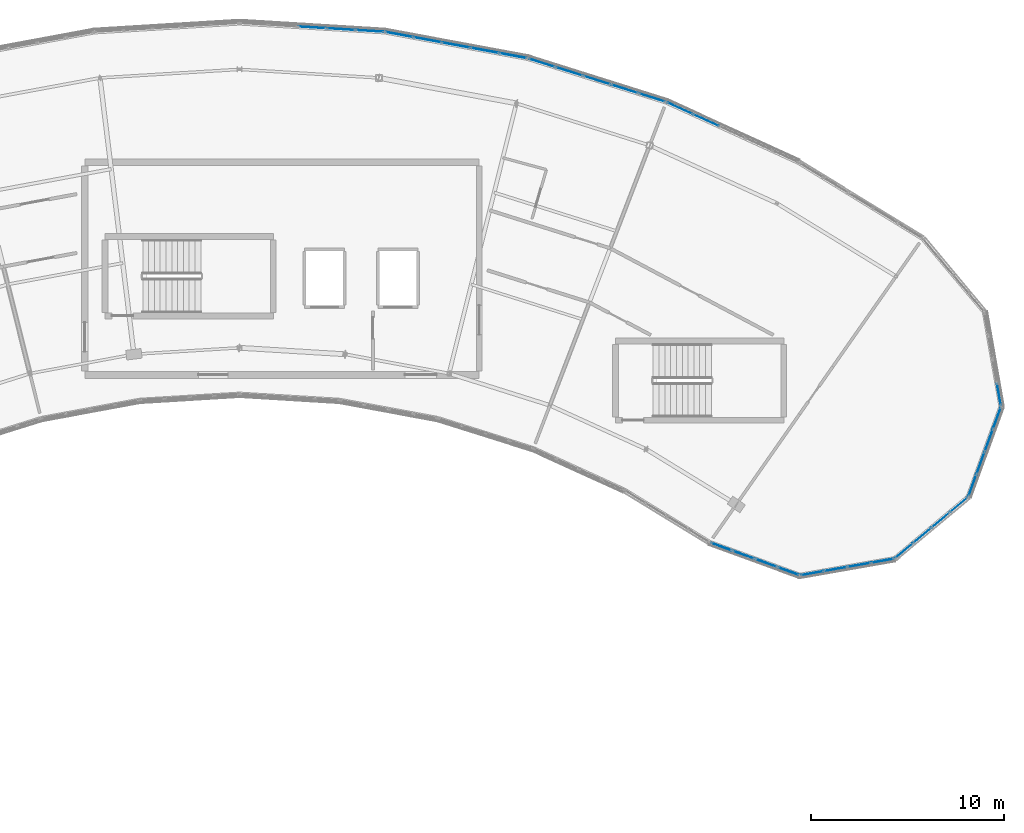
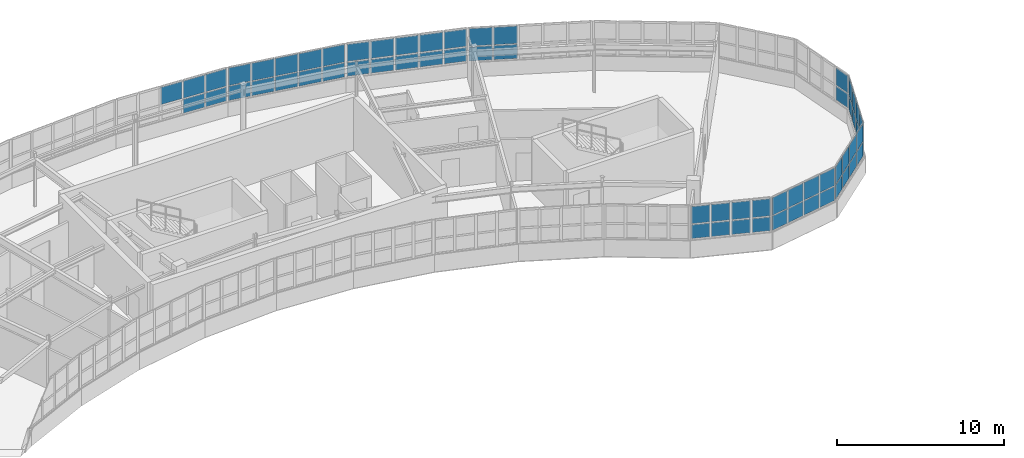
# One storey, part 43 of 65: 63 plates, 9 elements without a shape of their own.
"""IFC4 building model written with IfcOpenShell, lengths in metres."""

import ifcopenshell
import ifcopenshell.guid

model = None  # the IFC model being written
_history = None  # IfcOwnerHistory: only IFC2X3 demands one
_inside = {}  # id of a spatial element -> (the spatial element, [elements in it])
_under = {}  # id of a project, library or spatial element -> (it, [spatial elements below it])
_declared = {}  # id of a project -> (the project, [libraries it declares])
_typed = {}  # id of a type object -> (the type object, [elements of that type])
_made_of = {}  # id of a material, layer set ... -> (it, [elements and type objects made of it])


def new_model(schema):
    """Start an empty IFC model of exactly this schema.

    Asked for "IFC4X3", IfcOpenShell would pick the latest addendum, in which some entities
    have other attributes; the version numbers below select the first issue.
    IFC2X3 requires an IfcOwnerHistory on every rooted entity: one is made here for all.
    """
    global model, _history
    if schema == "IFC4X3":
        model = ifcopenshell.file(schema_version=(4, 3, 0, 0))
    else:
        model = ifcopenshell.file(schema=schema)
    _inside.clear()
    _under.clear()
    _declared.clear()
    _typed.clear()
    _made_of.clear()
    _history = None
    if model.schema == "IFC2X3":
        org = make("IfcOrganization", Name="unknown")
        user = make(
            "IfcPersonAndOrganization",
            ThePerson=make("IfcPerson", FamilyName="unknown"),
            TheOrganization=org,
        )
        app = make(
            "IfcApplication",
            ApplicationDeveloper=org,
            Version="unknown",
            ApplicationFullName="unknown",
            ApplicationIdentifier="unknown",
        )
        _history = make(
            "IfcOwnerHistory",
            OwningUser=user,
            OwningApplication=app,
            ChangeAction="ADDED",
            CreationDate=0,
        )
    return model


def make(cls, **values):
    """One entity of the class cls with the attributes given. An attribute that is None is left unset."""
    return model.create_entity(
        cls, **{name: value for name, value in values.items() if value is not None}
    )


def rooted(cls, **values):
    """An entity with a GlobalId (a new one), such as an element, a storey or a relation."""
    return make(cls, GlobalId=ifcopenshell.guid.new(), OwnerHistory=_history, **values)


def si_unit(unit_type, name, prefix=None):
    """IfcSIUnit, for example si_unit("LENGTHUNIT", "METRE", prefix="MILLI")."""
    return make("IfcSIUnit", UnitType=unit_type, Prefix=prefix, Name=name)


def assignment(units):
    """IfcUnitAssignment: the units of a project."""
    return None if units is None else make("IfcUnitAssignment", Units=units)


def point(xyz):
    """IfcCartesianPoint."""
    return None if xyz is None else make("IfcCartesianPoint", Coordinates=xyz)


def direction(xyz):
    """IfcDirection."""
    return None if xyz is None else make("IfcDirection", DirectionRatios=xyz)


def frame(location, z_axis=None, x_axis=None):
    """IfcAxis2Placement3D, a coordinate frame: its origin and axes. An axis left out is left unset."""
    return make(
        "IfcAxis2Placement3D",
        Location=point(location),
        Axis=direction(z_axis),
        RefDirection=direction(x_axis),
    )


def frame_2d(location, x_axis=None):
    """IfcAxis2Placement2D, a coordinate frame in the plane: its origin and x axis."""
    return make(
        "IfcAxis2Placement2D", Location=point(location), RefDirection=direction(x_axis)
    )


def origin():
    """The frame at (0, 0, 0) with its axes left unset."""
    return frame((0.0, 0.0, 0.0))


def origin_2d():
    """The frame at (0, 0) in the plane with its x axis left unset."""
    return frame_2d((0.0, 0.0))


def place(relative_to, where):
    """IfcLocalPlacement: puts the frame where relative to a parent placement (None: the world)."""
    return make(
        "IfcLocalPlacement", PlacementRelTo=relative_to, RelativePlacement=where
    )


def context(
    kind, dimensions, precision=None, world=None, true_north=None, identifier=None
):
    """IfcGeometricRepresentationContext, for example the 3D "Model" context."""
    return make(
        "IfcGeometricRepresentationContext",
        ContextIdentifier=identifier,
        ContextType=kind,
        CoordinateSpaceDimension=dimensions,
        Precision=precision,
        WorldCoordinateSystem=world,
        TrueNorth=true_north,
    )


def subcontext(parent, identifier, kind, view, scale=None):
    """IfcGeometricRepresentationSubContext, for example "Body" below "Model"."""
    return make(
        "IfcGeometricRepresentationSubContext",
        ContextIdentifier=identifier,
        ContextType=kind,
        ParentContext=parent,
        TargetScale=scale,
        TargetView=view,
    )


def project(units=None, contexts=None):
    """IfcProject with its units and contexts."""
    return rooted(
        "IfcProject",
        Name="project",
        RepresentationContexts=contexts,
        UnitsInContext=assignment(units),
    )


def spatial(cls, under=None, at=None, **own):
    """A site, building, storey or space (cls), placed at a placement, below another one or the project."""
    s = rooted(cls, ObjectPlacement=at, **own)
    if under is not None:
        _under.setdefault(under.id(), (under, []))[1].append(s)
    return s


def profile(cls, at=None, kind="AREA", **sizes):
    """A parametric profile (cls). Its sizes go by their IFC names, for example OverallWidth=200.0."""
    return make(cls, ProfileType=kind, Position=at, **sizes)


def rectangle(**sizes):
    """IfcRectangleProfileDef."""
    return profile("IfcRectangleProfileDef", **sizes)


def extrude(swept, where, along, depth):
    """IfcExtrudedAreaSolid: the profile swept, set in the frame where, extruded along a direction by depth."""
    return make(
        "IfcExtrudedAreaSolid",
        SweptArea=swept,
        Position=where,
        ExtrudedDirection=direction(along),
        Depth=depth,
    )


def shape(context_of_items, identifier, shape_type, items):
    """IfcShapeRepresentation: the items that make up one representation, for example the "Body"."""
    return make(
        "IfcShapeRepresentation",
        ContextOfItems=context_of_items,
        RepresentationIdentifier=identifier,
        RepresentationType=shape_type,
        Items=items,
    )


def material(Name=None, Category=None):
    """IfcMaterial."""
    return make("IfcMaterial", Name=Name, Category=Category)


def layer(
    of_material, thickness, ventilated=None, Name=None, Category=None, Priority=None
):
    """IfcMaterialLayer: one layer of a wall or slab, of a material (None: an air gap)."""
    return make(
        "IfcMaterialLayer",
        Material=of_material,
        LayerThickness=thickness,
        IsVentilated=ventilated,
        Name=Name,
        Category=Category,
        Priority=Priority,
    )


def layer_set(layers, Name=None):
    """IfcMaterialLayerSet."""
    return make("IfcMaterialLayerSet", MaterialLayers=layers, LayerSetName=Name)


def made_of(thing, what):
    """Note that an element or type object is made of a material, layer set ...; save() writes the relation."""
    if what is not None:
        _made_of.setdefault(what.id(), (what, []))[1].append(thing)
    return thing


def type_object(cls, material=None, **own):
    """A type object (cls), such as IfcWallType, which elements share."""
    return made_of(rooted(cls, **own), material)


def element(
    cls,
    number,
    at=None,
    inside=None,
    cuts=None,
    type_object=None,
    material=None,
    context=None,
    identifier="Body",
    shape_type=None,
    held_by="IfcProductDefinitionShape",
    body=None,
    shapes=None,
    **own,
):
    """One element of the class cls, such as IfcWall. Its Tag is "e" and its number.

    at: its placement. inside: the storey or other place that contains it. cuts: it is an
    opening in that element (IfcRelVoidsElement). A single representation is given by context,
    identifier, shape_type and body (its items); several are given by shapes. held_by: the class
    of the entity that holds the representations. save() writes the other relations.
    """
    e = rooted(cls, Tag="e%d" % number, ObjectPlacement=at, **own)
    if body is not None:
        shapes = [shape(context, identifier, shape_type, body)]
    if shapes is not None:
        e.Representation = make(held_by, Representations=shapes)
    if inside is not None:
        _inside.setdefault(inside.id(), (inside, []))[1].append(e)
    if cuts is not None:
        rooted(
            "IfcRelVoidsElement", RelatingBuildingElement=cuts, RelatedOpeningElement=e
        )
    if type_object is not None:
        _typed.setdefault(type_object.id(), (type_object, []))[1].append(e)
    return made_of(e, material)


def aggregate(whole, parts):
    """IfcRelAggregates: a whole, such as a stair, and the parts it consists of."""
    return rooted("IfcRelAggregates", RelatingObject=whole, RelatedObjects=parts)


def save(model, path):
    """Write the relations noted so far, then the file.

    IfcRelAggregates (storeys below a building ...), IfcRelContainedInSpatialStructure (elements
    in a storey), IfcRelDefinesByType, IfcRelAssociatesMaterial and IfcRelDeclares: one each for
    every whole, place, type object, material and project.
    """
    for whole, parts in _under.values():
        aggregate(whole, parts)
    for where, things in _inside.values():
        rooted(
            "IfcRelContainedInSpatialStructure",
            RelatedElements=things,
            RelatingStructure=where,
        )
    for kind, things in _typed.values():
        rooted("IfcRelDefinesByType", RelatedObjects=things, RelatingType=kind)
    for what, things in _made_of.values():
        rooted("IfcRelAssociatesMaterial", RelatedObjects=things, RelatingMaterial=what)
    for by, libraries in _declared.values():
        rooted("IfcRelDeclares", RelatingContext=by, RelatedDefinitions=libraries)
    model.write(path)


model = new_model("IFC4")

# Units and contexts
model_context = context("Model", 3, precision=1e-05, world=origin(), true_north=direction((0.0, 1.0)))
body_context = subcontext(model_context, "Body", "Model", "MODEL_VIEW")
ifc_project = project(units=[si_unit("LENGTHUNIT", "METRE"), si_unit("AREAUNIT", "SQUARE_METRE"), si_unit("VOLUMEUNIT", "CUBIC_METRE"), si_unit("PLANEANGLEUNIT", "RADIAN"), si_unit("MASSUNIT", "GRAM", prefix="KILO")], contexts=[model_context])

# Site, building, storey
site_placement = place(None, origin())
site = spatial("IfcSite", under=ifc_project, at=site_placement, CompositionType="ELEMENT")
building_placement = place(site_placement, origin())
building = spatial("IfcBuilding", under=site, at=building_placement, Name="Tarnwether General Hospital", CompositionType="ELEMENT")
storey_placement = place(building_placement, frame((0.0, 0.0, 22.199951171875)))
storey = spatial("IfcBuildingStorey", under=building, at=storey_placement, Name="L05", CompositionType="ELEMENT", Elevation=22.199951171875)

# Curtain wall, plates
ifc_material_1 = material(Name="Anodised aluminium", Category="aluminium")
ifc_layer_1 = layer(ifc_material_1, 0.159912109375)
ifc_layer_set_1 = layer_set([ifc_layer_1], Name="Anodised aluminium")
curtain_wall_type_1 = type_object("IfcCurtainWallType", Name="CW-03", PredefinedType="NOTDEFINED", material=ifc_layer_set_1)
curtain_wall_1_placement = place(storey_placement, origin())
curtain_wall_1 = element("IfcCurtainWall", 1, at=curtain_wall_1_placement, inside=storey, type_object=curtain_wall_type_1, Name="Curtain Wall CWG-L05-1259_969-0081", PredefinedType="NOTDEFINED")
ifc_material_2 = material(Name="Double glazed low-E glass", Category="glass")
ifc_layer_2 = layer(ifc_material_2, 0.028076171875)
ifc_layer_set_2 = layer_set([ifc_layer_2], Name="Double glazed low-E glass")
plate_type_1 = type_object("IfcPlateType", Name="PT-CWP1", PredefinedType="CURTAIN_PANEL", material=ifc_layer_set_2)
plate_1_placement = place(storey_placement, frame((125.256591796875, 96.784423828125, 1.110107421875), z_axis=(0.0, 0.0, 1.0), x_axis=(-0.984805834268, -0.173659059054, 0.0)))
plate_1 = element("IfcPlate", 2, at=plate_1_placement, type_object=plate_type_1, Name="CW-03 panel 1.1", PredefinedType="CURTAIN_PANEL", context=body_context, shape_type="SweptSolid", body=[
    extrude(rectangle(XDim=1.15234375, YDim=0.028076171875, at=origin_2d()), origin(), (0.0, 0.0, 1.0), 1.03955078125),
])
plate_2_placement = place(storey_placement, frame((125.256591796875, 96.784423828125, 2.20947265625), z_axis=(0.0, 0.0, 1.0), x_axis=(-0.984805834268, -0.173659059054, 0.0)))
plate_2 = element("IfcPlate", 3, at=plate_2_placement, type_object=plate_type_1, Name="CW-03 panel 1.2", PredefinedType="CURTAIN_PANEL", context=body_context, shape_type="SweptSolid", body=[
    extrude(rectangle(XDim=1.15234375, YDim=0.028076171875, at=origin_2d()), origin(), (0.0, 0.0, 1.0), 1.29052734375),
])
plate_3_placement = place(storey_placement, frame((124.0478515625, 96.5712890625, 1.110107421875), z_axis=(0.0, 0.0, 1.0), x_axis=(-0.984805834268, -0.173659059054, 0.0)))
plate_3 = element("IfcPlate", 4, at=plate_3_placement, type_object=plate_type_1, Name="CW-03 panel 2.1", PredefinedType="CURTAIN_PANEL", context=body_context, shape_type="SweptSolid", body=[
    extrude(rectangle(XDim=1.182373046875, YDim=0.028076171875, at=origin_2d()), origin(), (0.0, 0.0, 1.0), 1.03955078125),
])
plate_4_placement = place(storey_placement, frame((124.0478515625, 96.5712890625, 2.20947265625), z_axis=(0.0, 0.0, 1.0), x_axis=(-0.984805834268, -0.173659059054, 0.0)))
plate_4 = element("IfcPlate", 5, at=plate_4_placement, type_object=plate_type_1, Name="CW-03 panel 2.2", PredefinedType="CURTAIN_PANEL", context=body_context, shape_type="SweptSolid", body=[
    extrude(rectangle(XDim=1.182373046875, YDim=0.028076171875, at=origin_2d()), origin(), (0.0, 0.0, 1.0), 1.29052734375),
])
plate_5_placement = place(storey_placement, frame((122.82421875, 96.355712890625, 1.110107421875), z_axis=(0.0, 0.0, 1.0), x_axis=(-0.984805834268, -0.173659059054, 0.0)))
plate_5 = element("IfcPlate", 6, at=plate_5_placement, type_object=plate_type_1, Name="CW-03 panel 3.1", PredefinedType="CURTAIN_PANEL", context=body_context, shape_type="SweptSolid", body=[
    extrude(rectangle(XDim=1.182373046875, YDim=0.028076171875, at=origin_2d()), origin(), (0.0, 0.0, 1.0), 1.03955078125),
])
plate_6_placement = place(storey_placement, frame((122.82421875, 96.355712890625, 2.20947265625), z_axis=(0.0, 0.0, 1.0), x_axis=(-0.984805834268, -0.173659059054, 0.0)))
plate_6 = element("IfcPlate", 7, at=plate_6_placement, type_object=plate_type_1, Name="CW-03 panel 3.2", PredefinedType="CURTAIN_PANEL", context=body_context, shape_type="SweptSolid", body=[
    extrude(rectangle(XDim=1.182373046875, YDim=0.028076171875, at=origin_2d()), origin(), (0.0, 0.0, 1.0), 1.29052734375),
])
plate_7_placement = place(storey_placement, frame((121.615478515625, 96.142578125, 1.110107421875), z_axis=(0.0, 0.0, 1.0), x_axis=(-0.984805834268, -0.173659059054, 0.0)))
plate_7 = element("IfcPlate", 8, at=plate_7_placement, type_object=plate_type_1, Name="CW-03 panel 4.1", PredefinedType="CURTAIN_PANEL", context=body_context, shape_type="SweptSolid", body=[
    extrude(rectangle(XDim=1.15234375, YDim=0.028076171875, at=origin_2d()), origin(), (0.0, 0.0, 1.0), 1.03955078125),
])
plate_8_placement = place(storey_placement, frame((121.615478515625, 96.142578125, 2.20947265625), z_axis=(0.0, 0.0, 1.0), x_axis=(-0.984805834268, -0.173659059054, 0.0)))
plate_8 = element("IfcPlate", 9, at=plate_8_placement, type_object=plate_type_1, Name="CW-03 panel 4.2", PredefinedType="CURTAIN_PANEL", context=body_context, shape_type="SweptSolid", body=[
    extrude(rectangle(XDim=1.15234375, YDim=0.028076171875, at=origin_2d()), origin(), (0.0, 0.0, 1.0), 1.29052734375),
])
aggregate(curtain_wall_1, [plate_1, plate_2, plate_3, plate_4, plate_5, plate_6, plate_7, plate_8])

curtain_wall_2_placement = place(storey_placement, origin())
curtain_wall_2 = element("IfcCurtainWall", 10, at=curtain_wall_2_placement, inside=storey, type_object=curtain_wall_type_1, Name="Curtain Wall CWG-L05-1297_1001-0082", PredefinedType="NOTDEFINED")
plate_9_placement = place(storey_placement, frame((129.20068359375, 99.679443359375, 1.1201171875), z_axis=(0.0, 0.0, 1.0), x_axis=(-0.765990176896, -0.64285227611, 0.0)))
plate_9 = element("IfcPlate", 11, at=plate_9_placement, type_object=plate_type_1, Name="CW-03 panel 1.1", PredefinedType="CURTAIN_PANEL", context=body_context, shape_type="SweptSolid", body=[
    extrude(rectangle(XDim=1.137451171875, YDim=0.028076171875, at=origin_2d()), origin(), (0.0, 0.0, 1.0), 1.0244140625),
])
plate_10_placement = place(storey_placement, frame((129.20068359375, 99.679443359375, 2.214599609375), z_axis=(0.0, 0.0, 1.0), x_axis=(-0.765990176896, -0.64285227611, 0.0)))
plate_10 = element("IfcPlate", 12, at=plate_10_placement, type_object=plate_type_1, Name="CW-03 panel 1.2", PredefinedType="CURTAIN_PANEL", context=body_context, shape_type="SweptSolid", body=[
    extrude(rectangle(XDim=1.137451171875, YDim=0.028076171875, at=origin_2d()), origin(), (0.0, 0.0, 1.0), 1.275390625),
])
plate_11_placement = place(storey_placement, frame((128.262451171875, 98.891845703125, 1.1201171875), z_axis=(0.0, 0.0, 1.0), x_axis=(-0.765990176896, -0.64285227611, 0.0)))
plate_11 = element("IfcPlate", 13, at=plate_11_placement, type_object=plate_type_1, Name="CW-03 panel 2.1", PredefinedType="CURTAIN_PANEL", context=body_context, shape_type="SweptSolid", body=[
    extrude(rectangle(XDim=1.172607421875, YDim=0.028076171875, at=origin_2d()), origin(), (0.0, 0.0, 1.0), 1.0244140625),
])
plate_12_placement = place(storey_placement, frame((128.262451171875, 98.891845703125, 2.214599609375), z_axis=(0.0, 0.0, 1.0), x_axis=(-0.765990176896, -0.64285227611, 0.0)))
plate_12 = element("IfcPlate", 14, at=plate_12_placement, type_object=plate_type_1, Name="CW-03 panel 2.2", PredefinedType="CURTAIN_PANEL", context=body_context, shape_type="SweptSolid", body=[
    extrude(rectangle(XDim=1.172607421875, YDim=0.028076171875, at=origin_2d()), origin(), (0.0, 0.0, 1.0), 1.275390625),
])
plate_13_placement = place(storey_placement, frame((127.310546875, 98.093017578125, 1.1201171875), z_axis=(0.0, 0.0, 1.0), x_axis=(-0.765990176896, -0.64285227611, 0.0)))
plate_13 = element("IfcPlate", 15, at=plate_13_placement, type_object=plate_type_1, Name="CW-03 panel 3.1", PredefinedType="CURTAIN_PANEL", context=body_context, shape_type="SweptSolid", body=[
    extrude(rectangle(XDim=1.172607421875, YDim=0.028076171875, at=origin_2d()), origin(), (0.0, 0.0, 1.0), 1.0244140625),
])
plate_14_placement = place(storey_placement, frame((127.310546875, 98.093017578125, 2.214599609375), z_axis=(0.0, 0.0, 1.0), x_axis=(-0.765990176896, -0.64285227611, 0.0)))
plate_14 = element("IfcPlate", 16, at=plate_14_placement, type_object=plate_type_1, Name="CW-03 panel 3.2", PredefinedType="CURTAIN_PANEL", context=body_context, shape_type="SweptSolid", body=[
    extrude(rectangle(XDim=1.172607421875, YDim=0.028076171875, at=origin_2d()), origin(), (0.0, 0.0, 1.0), 1.275390625),
])
plate_15_placement = place(storey_placement, frame((126.372314453125, 97.3056640625, 1.1201171875), z_axis=(0.0, 0.0, 1.0), x_axis=(-0.765990176896, -0.64285227611, 0.0)))
plate_15 = element("IfcPlate", 17, at=plate_15_placement, type_object=plate_type_1, Name="CW-03 panel 4.1", PredefinedType="CURTAIN_PANEL", context=body_context, shape_type="SweptSolid", body=[
    extrude(rectangle(XDim=1.137451171875, YDim=0.028076171875, at=origin_2d()), origin(), (0.0, 0.0, 1.0), 1.0244140625),
])
plate_16_placement = place(storey_placement, frame((126.372314453125, 97.3056640625, 2.214599609375), z_axis=(0.0, 0.0, 1.0), x_axis=(-0.765990176896, -0.64285227611, 0.0)))
plate_16 = element("IfcPlate", 18, at=plate_16_placement, type_object=plate_type_1, Name="CW-03 panel 4.2", PredefinedType="CURTAIN_PANEL", context=body_context, shape_type="SweptSolid", body=[
    extrude(rectangle(XDim=1.137451171875, YDim=0.028076171875, at=origin_2d()), origin(), (0.0, 0.0, 1.0), 1.275390625),
])
aggregate(curtain_wall_2, [plate_9, plate_10, plate_11, plate_12, plate_13, plate_14, plate_15, plate_16])

curtain_wall_3_placement = place(storey_placement, origin())
curtain_wall_3 = element("IfcCurtainWall", 19, at=curtain_wall_3_placement, inside=storey, type_object=curtain_wall_type_1, Name="Curtain Wall CWG-L05-1305_1097-0084", PredefinedType="NOTDEFINED")
plate_17_placement = place(storey_placement, frame((131.27783203125, 105.390380859375, 1.1298828125), z_axis=(0.0, 0.0, 1.0), x_axis=(0.173463890135, -0.984840230098, 0.0)))
plate_17 = element("IfcPlate", 20, at=plate_17_placement, type_object=plate_type_1, Name="CW-03 panel 4.1", PredefinedType="CURTAIN_PANEL", context=body_context, shape_type="SweptSolid", body=[
    extrude(rectangle(XDim=1.122314453125, YDim=0.028076171875, at=origin_2d()), origin(), (0.0, 0.0, 1.0), 1.009521484375),
])
plate_18_placement = place(storey_placement, frame((131.27783203125, 105.390380859375, 2.2197265625), z_axis=(0.0, 0.0, 1.0), x_axis=(0.173463890135, -0.984840230098, 0.0)))
plate_18 = element("IfcPlate", 21, at=plate_18_placement, type_object=plate_type_1, Name="CW-03 panel 4.2", PredefinedType="CURTAIN_PANEL", context=body_context, shape_type="SweptSolid", body=[
    extrude(rectangle(XDim=1.122314453125, YDim=0.028076171875, at=origin_2d()), origin(), (0.0, 0.0, 1.0), 1.260498046875),
])
aggregate(curtain_wall_3, [plate_17, plate_18])

ifc_material_3 = material(Name="Anodised aluminium", Category="aluminium")
ifc_layer_3 = layer(ifc_material_3, 0.159912109375)
ifc_layer_set_3 = layer_set([ifc_layer_3], Name="Anodised aluminium")
curtain_wall_type_2 = type_object("IfcCurtainWallType", Name="CW-05", PredefinedType="NOTDEFINED", material=ifc_layer_set_3)
curtain_wall_4_placement = place(storey_placement, origin())
curtain_wall_4 = element("IfcCurtainWall", 22, at=curtain_wall_4_placement, inside=storey, type_object=curtain_wall_type_2, Name="Curtain Wall CWG-L05-1141_1205-0087", PredefinedType="NOTDEFINED")
plate_19_placement = place(storey_placement, frame((114.774169921875, 120.1904296875, 1.115234375), z_axis=(0.0, 0.0, 1.0), x_axis=(0.909960793886, -0.414694289316, 0.0)))
plate_19 = element("IfcPlate", 23, at=plate_19_placement, type_object=plate_type_1, Name="CW-05 panel 1.1", PredefinedType="CURTAIN_PANEL", context=body_context, shape_type="SweptSolid", body=[
    extrude(rectangle(XDim=1.40673828125, YDim=0.028076171875, at=origin_2d()), origin(), (0.0, 0.0, 1.0), 1.031982421875),
])
plate_20_placement = place(storey_placement, frame((114.774169921875, 120.1904296875, 2.2119140625), z_axis=(0.0, 0.0, 1.0), x_axis=(0.909960793886, -0.414694289316, 0.0)))
plate_20 = element("IfcPlate", 24, at=plate_20_placement, type_object=plate_type_1, Name="CW-05 panel 1.2", PredefinedType="CURTAIN_PANEL", context=body_context, shape_type="SweptSolid", body=[
    extrude(rectangle(XDim=1.40673828125, YDim=0.028076171875, at=origin_2d()), origin(), (0.0, 0.0, 1.0), 1.282958984375),
])
plate_21_placement = place(storey_placement, frame((116.128173828125, 119.5732421875, 1.115234375), z_axis=(0.0, 0.0, 1.0), x_axis=(0.909960793886, -0.414694289316, 0.0)))
plate_21 = element("IfcPlate", 25, at=plate_21_placement, type_object=plate_type_1, Name="CW-05 panel 2.1", PredefinedType="CURTAIN_PANEL", context=body_context, shape_type="SweptSolid", body=[
    extrude(rectangle(XDim=1.439208984375, YDim=0.028076171875, at=origin_2d()), origin(), (0.0, 0.0, 1.0), 1.031982421875),
])
plate_22_placement = place(storey_placement, frame((116.128173828125, 119.5732421875, 2.2119140625), z_axis=(0.0, 0.0, 1.0), x_axis=(0.909960793886, -0.414694289316, 0.0)))
plate_22 = element("IfcPlate", 26, at=plate_22_placement, type_object=plate_type_1, Name="CW-05 panel 2.2", PredefinedType="CURTAIN_PANEL", context=body_context, shape_type="SweptSolid", body=[
    extrude(rectangle(XDim=1.439208984375, YDim=0.028076171875, at=origin_2d()), origin(), (0.0, 0.0, 1.0), 1.282958984375),
])
aggregate(curtain_wall_4, [plate_19, plate_20, plate_21, plate_22])

curtain_wall_5_placement = place(storey_placement, origin())
curtain_wall_5 = element("IfcCurtainWall", 27, at=curtain_wall_5_placement, inside=storey, type_object=curtain_wall_type_2, Name="Curtain Wall CWG-L05-1069_1228-0088", PredefinedType="NOTDEFINED")
plate_23_placement = place(storey_placement, frame((107.638427734375, 122.537841796875, 1.1298828125), z_axis=(0.0, 0.0, 1.0), x_axis=(0.953741284032, -0.300628613299, 0.0)))
plate_23 = element("IfcPlate", 28, at=plate_23_placement, type_object=plate_type_1, Name="CW-05 panel 1.1", PredefinedType="CURTAIN_PANEL", context=body_context, shape_type="SweptSolid", body=[
    extrude(rectangle(XDim=1.38427734375, YDim=0.028076171875, at=origin_2d()), origin(), (0.0, 0.0, 1.0), 1.009521484375),
])
plate_24_placement = place(storey_placement, frame((107.638427734375, 122.537841796875, 2.2197265625), z_axis=(0.0, 0.0, 1.0), x_axis=(0.953741284032, -0.300628613299, 0.0)))
plate_24 = element("IfcPlate", 29, at=plate_24_placement, type_object=plate_type_1, Name="CW-05 panel 1.2", PredefinedType="CURTAIN_PANEL", context=body_context, shape_type="SweptSolid", body=[
    extrude(rectangle(XDim=1.38427734375, YDim=0.028076171875, at=origin_2d()), origin(), (0.0, 0.0, 1.0), 1.260498046875),
])
plate_25_placement = place(storey_placement, frame((109.053955078125, 122.091796875, 1.1298828125), z_axis=(0.0, 0.0, 1.0), x_axis=(0.953741284032, -0.300628613299, 0.0)))
plate_25 = element("IfcPlate", 30, at=plate_25_placement, type_object=plate_type_1, Name="CW-05 panel 2.1", PredefinedType="CURTAIN_PANEL", context=body_context, shape_type="SweptSolid", body=[
    extrude(rectangle(XDim=1.424072265625, YDim=0.028076171875, at=origin_2d()), origin(), (0.0, 0.0, 1.0), 1.009521484375),
])
plate_26_placement = place(storey_placement, frame((109.053955078125, 122.091796875, 2.2197265625), z_axis=(0.0, 0.0, 1.0), x_axis=(0.953741284032, -0.300628613299, 0.0)))
plate_26 = element("IfcPlate", 31, at=plate_26_placement, type_object=plate_type_1, Name="CW-05 panel 2.2", PredefinedType="CURTAIN_PANEL", context=body_context, shape_type="SweptSolid", body=[
    extrude(rectangle(XDim=1.424072265625, YDim=0.028076171875, at=origin_2d()), origin(), (0.0, 0.0, 1.0), 1.260498046875),
])
plate_27_placement = place(storey_placement, frame((110.488525390625, 121.639404296875, 1.1298828125), z_axis=(0.0, 0.0, 1.0), x_axis=(0.953741284032, -0.300628613299, 0.0)))
plate_27 = element("IfcPlate", 32, at=plate_27_placement, type_object=plate_type_1, Name="CW-05 panel 3.1", PredefinedType="CURTAIN_PANEL", context=body_context, shape_type="SweptSolid", body=[
    extrude(rectangle(XDim=1.424072265625, YDim=0.028076171875, at=origin_2d()), origin(), (0.0, 0.0, 1.0), 1.009521484375),
])
plate_28_placement = place(storey_placement, frame((110.488525390625, 121.639404296875, 2.2197265625), z_axis=(0.0, 0.0, 1.0), x_axis=(0.953741284032, -0.300628613299, 0.0)))
plate_28 = element("IfcPlate", 33, at=plate_28_placement, type_object=plate_type_1, Name="CW-05 panel 3.2", PredefinedType="CURTAIN_PANEL", context=body_context, shape_type="SweptSolid", body=[
    extrude(rectangle(XDim=1.424072265625, YDim=0.028076171875, at=origin_2d()), origin(), (0.0, 0.0, 1.0), 1.260498046875),
])
plate_29_placement = place(storey_placement, frame((111.923095703125, 121.187255859375, 1.1298828125), z_axis=(0.0, 0.0, 1.0), x_axis=(0.953741284032, -0.300628613299, 0.0)))
plate_29 = element("IfcPlate", 34, at=plate_29_placement, type_object=plate_type_1, Name="CW-05 panel 4.1", PredefinedType="CURTAIN_PANEL", context=body_context, shape_type="SweptSolid", body=[
    extrude(rectangle(XDim=1.424072265625, YDim=0.028076171875, at=origin_2d()), origin(), (0.0, 0.0, 1.0), 1.009521484375),
])
plate_30_placement = place(storey_placement, frame((111.923095703125, 121.187255859375, 2.2197265625), z_axis=(0.0, 0.0, 1.0), x_axis=(0.953741284032, -0.300628613299, 0.0)))
plate_30 = element("IfcPlate", 35, at=plate_30_placement, type_object=plate_type_1, Name="CW-05 panel 4.2", PredefinedType="CURTAIN_PANEL", context=body_context, shape_type="SweptSolid", body=[
    extrude(rectangle(XDim=1.424072265625, YDim=0.028076171875, at=origin_2d()), origin(), (0.0, 0.0, 1.0), 1.260498046875),
])
plate_31_placement = place(storey_placement, frame((113.338623046875, 120.7412109375, 1.1298828125), z_axis=(0.0, 0.0, 1.0), x_axis=(0.953741284032, -0.300628613299, 0.0)))
plate_31 = element("IfcPlate", 36, at=plate_31_placement, type_object=plate_type_1, Name="CW-05 panel 5.1", PredefinedType="CURTAIN_PANEL", context=body_context, shape_type="SweptSolid", body=[
    extrude(rectangle(XDim=1.38427734375, YDim=0.028076171875, at=origin_2d()), origin(), (0.0, 0.0, 1.0), 1.009521484375),
])
plate_32_placement = place(storey_placement, frame((113.338623046875, 120.7412109375, 2.2197265625), z_axis=(0.0, 0.0, 1.0), x_axis=(0.953741284032, -0.300628613299, 0.0)))
plate_32 = element("IfcPlate", 37, at=plate_32_placement, type_object=plate_type_1, Name="CW-05 panel 5.2", PredefinedType="CURTAIN_PANEL", context=body_context, shape_type="SweptSolid", body=[
    extrude(rectangle(XDim=1.38427734375, YDim=0.028076171875, at=origin_2d()), origin(), (0.0, 0.0, 1.0), 1.260498046875),
])
aggregate(curtain_wall_5, [plate_23, plate_24, plate_25, plate_26, plate_27, plate_28, plate_29, plate_30, plate_31, plate_32])

curtain_wall_6_placement = place(storey_placement, origin())
curtain_wall_6 = element("IfcCurtainWall", 38, at=curtain_wall_6_placement, inside=storey, type_object=curtain_wall_type_2, Name="Curtain Wall CWG-L05-920_1246-0090", PredefinedType="NOTDEFINED")
plate_33_placement = place(storey_placement, frame((95.75341796875, 124.37060546875, 2.214599609375), z_axis=(0.0, 0.0, 1.0), x_axis=(0.998135995608, -0.061028962567, 0.0)))
plate_33 = element("IfcPlate", 39, at=plate_33_placement, type_object=plate_type_1, Name="CW-05 panel 3.2", PredefinedType="CURTAIN_PANEL", context=body_context, shape_type="SweptSolid", body=[
    extrude(rectangle(XDim=1.43408203125, YDim=0.028076171875, at=origin_2d()), origin(), (0.0, 0.0, 1.0), 1.275390625),
])
plate_34_placement = place(storey_placement, frame((97.2548828125, 124.27880859375, 1.1201171875), z_axis=(0.0, 0.0, 1.0), x_axis=(0.998135995608, -0.061028962567, 0.0)))
plate_34 = element("IfcPlate", 40, at=plate_34_placement, type_object=plate_type_1, Name="CW-05 panel 4.1", PredefinedType="CURTAIN_PANEL", context=body_context, shape_type="SweptSolid", body=[
    extrude(rectangle(XDim=1.43408203125, YDim=0.028076171875, at=origin_2d()), origin(), (0.0, 0.0, 1.0), 1.0244140625),
])
plate_35_placement = place(storey_placement, frame((97.2548828125, 124.27880859375, 2.214599609375), z_axis=(0.0, 0.0, 1.0), x_axis=(0.998135995608, -0.061028962567, 0.0)))
plate_35 = element("IfcPlate", 41, at=plate_35_placement, type_object=plate_type_1, Name="CW-05 panel 4.2", PredefinedType="CURTAIN_PANEL", context=body_context, shape_type="SweptSolid", body=[
    extrude(rectangle(XDim=1.43408203125, YDim=0.028076171875, at=origin_2d()), origin(), (0.0, 0.0, 1.0), 1.275390625),
])
plate_36_placement = place(storey_placement, frame((98.73876953125, 124.18798828125, 1.1201171875), z_axis=(0.0, 0.0, 1.0), x_axis=(0.998135995608, -0.061028962567, 0.0)))
plate_36 = element("IfcPlate", 42, at=plate_36_placement, type_object=plate_type_1, Name="CW-05 panel 5.1", PredefinedType="CURTAIN_PANEL", context=body_context, shape_type="SweptSolid", body=[
    extrude(rectangle(XDim=1.399169921875, YDim=0.028076171875, at=origin_2d()), origin(), (0.0, 0.0, 1.0), 1.0244140625),
])
plate_37_placement = place(storey_placement, frame((98.73876953125, 124.18798828125, 2.214599609375), z_axis=(0.0, 0.0, 1.0), x_axis=(0.998135995608, -0.061028962567, 0.0)))
plate_37 = element("IfcPlate", 43, at=plate_37_placement, type_object=plate_type_1, Name="CW-05 panel 5.2", PredefinedType="CURTAIN_PANEL", context=body_context, shape_type="SweptSolid", body=[
    extrude(rectangle(XDim=1.399169921875, YDim=0.028076171875, at=origin_2d()), origin(), (0.0, 0.0, 1.0), 1.275390625),
])
aggregate(curtain_wall_6, [plate_33, plate_34, plate_35, plate_36, plate_37])

curtain_wall_7_placement = place(storey_placement, origin())
curtain_wall_7 = element("IfcCurtainWall", 44, at=curtain_wall_7_placement, inside=storey, type_object=curtain_wall_type_1, Name="Curtain Wall CWG-L05-1210_960-0080", PredefinedType="NOTDEFINED")
ifc_material_4 = material(Name="Double glazed low-E glass", Category="glass")
ifc_layer_4 = layer(ifc_material_4, 0.035888671875)
ifc_layer_set_4 = layer_set([ifc_layer_4], Name="Double glazed low-E glass")
plate_type_2 = type_object("IfcPlateType", Name="PT-CWP2", PredefinedType="CURTAIN_PANEL", material=ifc_layer_set_4)
plate_38_placement = place(storey_placement, frame((120.386474609375, 96.251220703125, 1.1298828125), z_axis=(0.0, 0.0, 1.0), x_axis=(-0.939652319163, 0.342130850834, 0.0)))
plate_38 = element("IfcPlate", 45, at=plate_38_placement, type_object=plate_type_2, Name="CW-03 panel 1.1", PredefinedType="CURTAIN_PANEL", context=body_context, shape_type="SweptSolid", body=[
    extrude(rectangle(XDim=1.122314453125, YDim=0.035888671875, at=origin_2d()), origin(), (0.0, 0.0, 1.0), 1.009521484375),
])
plate_39_placement = place(storey_placement, frame((120.386474609375, 96.251220703125, 2.2197265625), z_axis=(0.0, 0.0, 1.0), x_axis=(-0.939652319163, 0.342130850834, 0.0)))
plate_39 = element("IfcPlate", 46, at=plate_39_placement, type_object=plate_type_2, Name="CW-03 panel 1.2", PredefinedType="CURTAIN_PANEL", context=body_context, shape_type="SweptSolid", body=[
    extrude(rectangle(XDim=1.122314453125, YDim=0.035888671875, at=origin_2d()), origin(), (0.0, 0.0, 1.0), 1.260498046875),
])
plate_40_placement = place(storey_placement, frame((119.238037109375, 96.66943359375, 1.1298828125), z_axis=(0.0, 0.0, 1.0), x_axis=(-0.939652319163, 0.342130850834, 0.0)))
plate_40 = element("IfcPlate", 47, at=plate_40_placement, type_object=plate_type_2, Name="CW-03 panel 2.1", PredefinedType="CURTAIN_PANEL", context=body_context, shape_type="SweptSolid", body=[
    extrude(rectangle(XDim=1.162109375, YDim=0.035888671875, at=origin_2d()), origin(), (0.0, 0.0, 1.0), 1.009521484375),
])
plate_41_placement = place(storey_placement, frame((119.238037109375, 96.66943359375, 2.2197265625), z_axis=(0.0, 0.0, 1.0), x_axis=(-0.939652319163, 0.342130850834, 0.0)))
plate_41 = element("IfcPlate", 48, at=plate_41_placement, type_object=plate_type_2, Name="CW-03 panel 2.2", PredefinedType="CURTAIN_PANEL", context=body_context, shape_type="SweptSolid", body=[
    extrude(rectangle(XDim=1.162109375, YDim=0.035888671875, at=origin_2d()), origin(), (0.0, 0.0, 1.0), 1.260498046875),
])
plate_42_placement = place(storey_placement, frame((118.07080078125, 97.094482421875, 1.1298828125), z_axis=(0.0, 0.0, 1.0), x_axis=(-0.939652319163, 0.342130850834, 0.0)))
plate_42 = element("IfcPlate", 49, at=plate_42_placement, type_object=plate_type_2, Name="CW-03 panel 3.1", PredefinedType="CURTAIN_PANEL", context=body_context, shape_type="SweptSolid", body=[
    extrude(rectangle(XDim=1.162109375, YDim=0.035888671875, at=origin_2d()), origin(), (0.0, 0.0, 1.0), 1.009521484375),
])
plate_43_placement = place(storey_placement, frame((118.07080078125, 97.094482421875, 2.2197265625), z_axis=(0.0, 0.0, 1.0), x_axis=(-0.939652319163, 0.342130850834, 0.0)))
plate_43 = element("IfcPlate", 50, at=plate_43_placement, type_object=plate_type_2, Name="CW-03 panel 3.2", PredefinedType="CURTAIN_PANEL", context=body_context, shape_type="SweptSolid", body=[
    extrude(rectangle(XDim=1.162109375, YDim=0.035888671875, at=origin_2d()), origin(), (0.0, 0.0, 1.0), 1.260498046875),
])
plate_44_placement = place(storey_placement, frame((116.92236328125, 97.5126953125, 1.1298828125), z_axis=(0.0, 0.0, 1.0), x_axis=(-0.939652319163, 0.342130850834, 0.0)))
plate_44 = element("IfcPlate", 51, at=plate_44_placement, type_object=plate_type_2, Name="CW-03 panel 4.1", PredefinedType="CURTAIN_PANEL", context=body_context, shape_type="SweptSolid", body=[
    extrude(rectangle(XDim=1.122314453125, YDim=0.035888671875, at=origin_2d()), origin(), (0.0, 0.0, 1.0), 1.009521484375),
])
plate_45_placement = place(storey_placement, frame((116.92236328125, 97.5126953125, 2.2197265625), z_axis=(0.0, 0.0, 1.0), x_axis=(-0.939652319163, 0.342130850834, 0.0)))
plate_45 = element("IfcPlate", 52, at=plate_45_placement, type_object=plate_type_2, Name="CW-03 panel 4.2", PredefinedType="CURTAIN_PANEL", context=body_context, shape_type="SweptSolid", body=[
    extrude(rectangle(XDim=1.122314453125, YDim=0.035888671875, at=origin_2d()), origin(), (0.0, 0.0, 1.0), 1.260498046875),
])
aggregate(curtain_wall_7, [plate_38, plate_39, plate_40, plate_41, plate_42, plate_43, plate_44, plate_45])

curtain_wall_8_placement = place(storey_placement, origin())
curtain_wall_8 = element("IfcCurtainWall", 53, at=curtain_wall_8_placement, inside=storey, type_object=curtain_wall_type_1, Name="Curtain Wall CWG-L05-1314_1048-0083", PredefinedType="NOTDEFINED")
plate_46_placement = place(storey_placement, frame((131.171142578125, 104.16015625, 1.115234375), z_axis=(0.0, 0.0, 1.0), x_axis=(-0.341953136469, -0.939717006582, 0.0)))
plate_46 = element("IfcPlate", 54, at=plate_46_placement, type_object=plate_type_2, Name="CW-03 panel 1.1", PredefinedType="CURTAIN_PANEL", context=body_context, shape_type="SweptSolid", body=[
    extrude(rectangle(XDim=1.14453125, YDim=0.035888671875, at=origin_2d()), origin(), (0.0, 0.0, 1.0), 1.031982421875),
])
plate_47_placement = place(storey_placement, frame((131.171142578125, 104.16015625, 2.2119140625), z_axis=(0.0, 0.0, 1.0), x_axis=(-0.341953136469, -0.939717006582, 0.0)))
plate_47 = element("IfcPlate", 55, at=plate_47_placement, type_object=plate_type_2, Name="CW-03 panel 1.2", PredefinedType="CURTAIN_PANEL", context=body_context, shape_type="SweptSolid", body=[
    extrude(rectangle(XDim=1.14453125, YDim=0.035888671875, at=origin_2d()), origin(), (0.0, 0.0, 1.0), 1.282958984375),
])
plate_48_placement = place(storey_placement, frame((130.751953125, 103.008056640625, 1.115234375), z_axis=(0.0, 0.0, 1.0), x_axis=(-0.341953136469, -0.939717006582, 0.0)))
plate_48 = element("IfcPlate", 56, at=plate_48_placement, type_object=plate_type_2, Name="CW-03 panel 2.1", PredefinedType="CURTAIN_PANEL", context=body_context, shape_type="SweptSolid", body=[
    extrude(rectangle(XDim=1.17724609375, YDim=0.035888671875, at=origin_2d()), origin(), (0.0, 0.0, 1.0), 1.031982421875),
])
plate_49_placement = place(storey_placement, frame((130.751953125, 103.008056640625, 2.2119140625), z_axis=(0.0, 0.0, 1.0), x_axis=(-0.341953136469, -0.939717006582, 0.0)))
plate_49 = element("IfcPlate", 57, at=plate_49_placement, type_object=plate_type_2, Name="CW-03 panel 2.2", PredefinedType="CURTAIN_PANEL", context=body_context, shape_type="SweptSolid", body=[
    extrude(rectangle(XDim=1.17724609375, YDim=0.035888671875, at=origin_2d()), origin(), (0.0, 0.0, 1.0), 1.282958984375),
])
plate_50_placement = place(storey_placement, frame((130.3271484375, 101.8408203125, 1.115234375), z_axis=(0.0, 0.0, 1.0), x_axis=(-0.341953136469, -0.939717006582, 0.0)))
plate_50 = element("IfcPlate", 58, at=plate_50_placement, type_object=plate_type_2, Name="CW-03 panel 3.1", PredefinedType="CURTAIN_PANEL", context=body_context, shape_type="SweptSolid", body=[
    extrude(rectangle(XDim=1.17724609375, YDim=0.035888671875, at=origin_2d()), origin(), (0.0, 0.0, 1.0), 1.031982421875),
])
plate_51_placement = place(storey_placement, frame((130.3271484375, 101.8408203125, 2.2119140625), z_axis=(0.0, 0.0, 1.0), x_axis=(-0.341953136469, -0.939717006582, 0.0)))
plate_51 = element("IfcPlate", 59, at=plate_51_placement, type_object=plate_type_2, Name="CW-03 panel 3.2", PredefinedType="CURTAIN_PANEL", context=body_context, shape_type="SweptSolid", body=[
    extrude(rectangle(XDim=1.17724609375, YDim=0.035888671875, at=origin_2d()), origin(), (0.0, 0.0, 1.0), 1.282958984375),
])
plate_52_placement = place(storey_placement, frame((129.907958984375, 100.68896484375, 1.115234375), z_axis=(0.0, 0.0, 1.0), x_axis=(-0.341953136469, -0.939717006582, 0.0)))
plate_52 = element("IfcPlate", 60, at=plate_52_placement, type_object=plate_type_2, Name="CW-03 panel 4.1", PredefinedType="CURTAIN_PANEL", context=body_context, shape_type="SweptSolid", body=[
    extrude(rectangle(XDim=1.14453125, YDim=0.035888671875, at=origin_2d()), origin(), (0.0, 0.0, 1.0), 1.031982421875),
])
plate_53_placement = place(storey_placement, frame((129.907958984375, 100.68896484375, 2.2119140625), z_axis=(0.0, 0.0, 1.0), x_axis=(-0.341953136469, -0.939717006582, 0.0)))
plate_53 = element("IfcPlate", 61, at=plate_53_placement, type_object=plate_type_2, Name="CW-03 panel 4.2", PredefinedType="CURTAIN_PANEL", context=body_context, shape_type="SweptSolid", body=[
    extrude(rectangle(XDim=1.14453125, YDim=0.035888671875, at=origin_2d()), origin(), (0.0, 0.0, 1.0), 1.282958984375),
])
aggregate(curtain_wall_8, [plate_46, plate_47, plate_48, plate_49, plate_50, plate_51, plate_52, plate_53])

curtain_wall_9_placement = place(storey_placement, origin())
curtain_wall_9 = element("IfcCurtainWall", 62, at=curtain_wall_9_placement, inside=storey, type_object=curtain_wall_type_2, Name="Curtain Wall CWG-L05-995_1241-0089", PredefinedType="NOTDEFINED")
plate_54_placement = place(storey_placement, frame((100.26123046875, 124.001220703125, 1.110107421875), z_axis=(0.0, 0.0, 1.0), x_axis=(0.983244953132, -0.182289226614, 0.0)))
plate_54 = element("IfcPlate", 63, at=plate_54_placement, type_object=plate_type_2, Name="CW-05 panel 1.1", PredefinedType="CURTAIN_PANEL", context=body_context, shape_type="SweptSolid", body=[
    extrude(rectangle(XDim=1.414306640625, YDim=0.035888671875, at=origin_2d()), origin(), (0.0, 0.0, 1.0), 1.03955078125),
])
plate_55_placement = place(storey_placement, frame((100.26123046875, 124.001220703125, 2.20947265625), z_axis=(0.0, 0.0, 1.0), x_axis=(0.983244953132, -0.182289226614, 0.0)))
plate_55 = element("IfcPlate", 64, at=plate_55_placement, type_object=plate_type_2, Name="CW-05 panel 1.2", PredefinedType="CURTAIN_PANEL", context=body_context, shape_type="SweptSolid", body=[
    extrude(rectangle(XDim=1.414306640625, YDim=0.035888671875, at=origin_2d()), origin(), (0.0, 0.0, 1.0), 1.29052734375),
])
plate_56_placement = place(storey_placement, frame((101.7255859375, 123.729736328125, 1.110107421875), z_axis=(0.0, 0.0, 1.0), x_axis=(0.983244953132, -0.182289226614, 0.0)))
plate_56 = element("IfcPlate", 65, at=plate_56_placement, type_object=plate_type_2, Name="CW-05 panel 2.1", PredefinedType="CURTAIN_PANEL", context=body_context, shape_type="SweptSolid", body=[
    extrude(rectangle(XDim=1.444091796875, YDim=0.035888671875, at=origin_2d()), origin(), (0.0, 0.0, 1.0), 1.03955078125),
])
plate_57_placement = place(storey_placement, frame((101.7255859375, 123.729736328125, 2.20947265625), z_axis=(0.0, 0.0, 1.0), x_axis=(0.983244953132, -0.182289226614, 0.0)))
plate_57 = element("IfcPlate", 66, at=plate_57_placement, type_object=plate_type_2, Name="CW-05 panel 2.2", PredefinedType="CURTAIN_PANEL", context=body_context, shape_type="SweptSolid", body=[
    extrude(rectangle(XDim=1.444091796875, YDim=0.035888671875, at=origin_2d()), origin(), (0.0, 0.0, 1.0), 1.29052734375),
])
plate_58_placement = place(storey_placement, frame((103.20458984375, 123.45556640625, 1.110107421875), z_axis=(0.0, 0.0, 1.0), x_axis=(0.983244953132, -0.182289226614, 0.0)))
plate_58 = element("IfcPlate", 67, at=plate_58_placement, type_object=plate_type_2, Name="CW-05 panel 3.1", PredefinedType="CURTAIN_PANEL", context=body_context, shape_type="SweptSolid", body=[
    extrude(rectangle(XDim=1.444091796875, YDim=0.035888671875, at=origin_2d()), origin(), (0.0, 0.0, 1.0), 1.03955078125),
])
plate_59_placement = place(storey_placement, frame((103.20458984375, 123.45556640625, 2.20947265625), z_axis=(0.0, 0.0, 1.0), x_axis=(0.983244953132, -0.182289226614, 0.0)))
plate_59 = element("IfcPlate", 68, at=plate_59_placement, type_object=plate_type_2, Name="CW-05 panel 3.2", PredefinedType="CURTAIN_PANEL", context=body_context, shape_type="SweptSolid", body=[
    extrude(rectangle(XDim=1.444091796875, YDim=0.035888671875, at=origin_2d()), origin(), (0.0, 0.0, 1.0), 1.29052734375),
])
plate_60_placement = place(storey_placement, frame((104.68359375, 123.181396484375, 1.110107421875), z_axis=(0.0, 0.0, 1.0), x_axis=(0.983244953132, -0.182289226614, 0.0)))
plate_60 = element("IfcPlate", 69, at=plate_60_placement, type_object=plate_type_2, Name="CW-05 panel 4.1", PredefinedType="CURTAIN_PANEL", context=body_context, shape_type="SweptSolid", body=[
    extrude(rectangle(XDim=1.444091796875, YDim=0.035888671875, at=origin_2d()), origin(), (0.0, 0.0, 1.0), 1.03955078125),
])
plate_61_placement = place(storey_placement, frame((104.68359375, 123.181396484375, 2.20947265625), z_axis=(0.0, 0.0, 1.0), x_axis=(0.983244953132, -0.182289226614, 0.0)))
plate_61 = element("IfcPlate", 70, at=plate_61_placement, type_object=plate_type_2, Name="CW-05 panel 4.2", PredefinedType="CURTAIN_PANEL", context=body_context, shape_type="SweptSolid", body=[
    extrude(rectangle(XDim=1.444091796875, YDim=0.035888671875, at=origin_2d()), origin(), (0.0, 0.0, 1.0), 1.29052734375),
])
plate_62_placement = place(storey_placement, frame((106.147705078125, 122.909912109375, 1.110107421875), z_axis=(0.0, 0.0, 1.0), x_axis=(0.983244953132, -0.182289226614, 0.0)))
plate_62 = element("IfcPlate", 71, at=plate_62_placement, type_object=plate_type_2, Name="CW-05 panel 5.1", PredefinedType="CURTAIN_PANEL", context=body_context, shape_type="SweptSolid", body=[
    extrude(rectangle(XDim=1.414306640625, YDim=0.035888671875, at=origin_2d()), origin(), (0.0, 0.0, 1.0), 1.03955078125),
])
plate_63_placement = place(storey_placement, frame((106.147705078125, 122.909912109375, 2.20947265625), z_axis=(0.0, 0.0, 1.0), x_axis=(0.983244953132, -0.182289226614, 0.0)))
plate_63 = element("IfcPlate", 72, at=plate_63_placement, type_object=plate_type_2, Name="CW-05 panel 5.2", PredefinedType="CURTAIN_PANEL", context=body_context, shape_type="SweptSolid", body=[
    extrude(rectangle(XDim=1.414306640625, YDim=0.035888671875, at=origin_2d()), origin(), (0.0, 0.0, 1.0), 1.29052734375),
])
aggregate(curtain_wall_9, [plate_54, plate_55, plate_56, plate_57, plate_58, plate_59, plate_60, plate_61, plate_62, plate_63])

save(model, "model.ifc")
